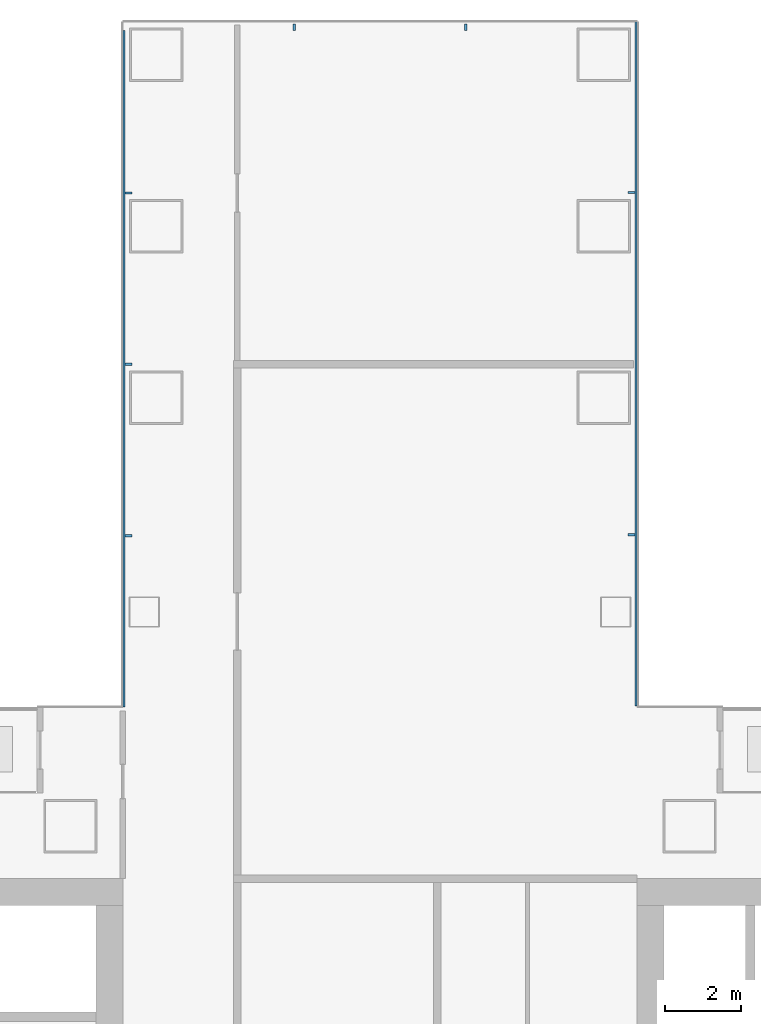
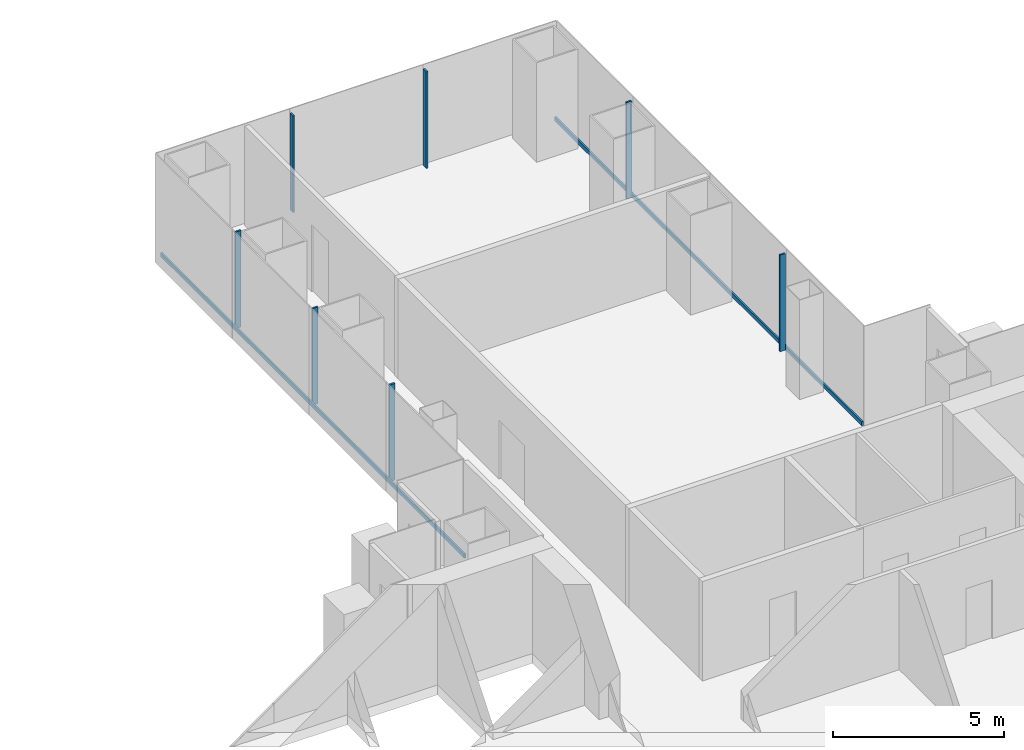
# One storey, part 10 of 22: 9 members, 3 elements without a shape of their own.
"""IFC4 building model written with IfcOpenShell, lengths in metres."""

from ifc_helpers import new_model, si_unit, direction, frame, origin, origin_2d, place, context, subcontext, project, spatial, rectangle, extrude, material, layer, layer_set, material_profile, profile_set, type_object, element, aggregate, save


model = new_model("IFC4")

# Units and contexts
model_context = context("Model", 3, precision=1e-05, world=origin(), true_north=direction((0.0, 1.0)))
body_context = subcontext(model_context, "Body", "Model", "MODEL_VIEW")
ifc_project = project(units=[si_unit("LENGTHUNIT", "METRE"), si_unit("AREAUNIT", "SQUARE_METRE"), si_unit("VOLUMEUNIT", "CUBIC_METRE"), si_unit("PLANEANGLEUNIT", "RADIAN"), si_unit("MASSUNIT", "GRAM", prefix="KILO")], contexts=[model_context])

# Site, building, storey
site_placement = place(None, origin())
site = spatial("IfcSite", under=ifc_project, at=site_placement, CompositionType="ELEMENT")
building_placement = place(site_placement, origin())
building = spatial("IfcBuilding", under=site, at=building_placement, Name="Shamsa Quay Exchange Towers", CompositionType="ELEMENT")
storey_placement = place(building_placement, frame((0.0, 0.0, 69.300048828125)))
storey = spatial("IfcBuildingStorey", under=building, at=storey_placement, Name="L15", CompositionType="ELEMENT", Elevation=69.300048828125)

# Curtain wall, members
ifc_material = material(Name="Aluminium EN AW-6063 T6, black anodised", Category="aluminium")
ifc_layer = layer(ifc_material, 0.280029296875)
ifc_layer_set = layer_set([ifc_layer], Name="CW-1 UNITISED VISION GLASS")
curtain_wall_type = type_object("IfcCurtainWallType", Name="CW-1 UNITISED VISION GLASS", PredefinedType="NOTDEFINED", material=ifc_layer_set)
curtain_wall_1_placement = place(storey_placement, origin())
curtain_wall_1 = element("IfcCurtainWall", 1, at=curtain_wall_1_placement, inside=storey, type_object=curtain_wall_type, Name="CW1 T2-FLK-U+S L15", PredefinedType="NOTDEFINED")
ifc_material_profile_1 = material_profile(ifc_material, rectangle(XDim=0.179931640625, YDim=0.06005859375, at=origin_2d()), Name="MU60x180")
ifc_profile_set_1 = profile_set([ifc_material_profile_1], Name="Aluminium EN AW-6063 T6, black anodised")
member_type_1 = type_object("IfcMemberType", Name="CW1 MULLION 60x180", PredefinedType="MULLION", material=ifc_profile_set_1)
member_1_placement = place(storey_placement, frame((40.35009765625, 15.778564453125, 0.0), z_axis=(0.0, 0.0, 1.0), x_axis=(-1.0, 0.0, 0.0)))
member_1 = element("IfcMember", 2, at=member_1_placement, type_object=member_type_1, Name="CW1 mullion", PredefinedType="MULLION", context=body_context, shape_type="SweptSolid", body=[
    extrude(rectangle(XDim=0.179931640625, YDim=0.06005859375, at=origin_2d()), origin(), (0.0, 0.0, 1.0), 3.449951171875),
])
member_2_placement = place(storey_placement, frame((40.35009765625, 24.759521484375, 0.0), z_axis=(0.0, 0.0, 1.0), x_axis=(-1.0, 0.0, 0.0)))
member_2 = element("IfcMember", 3, at=member_2_placement, type_object=member_type_1, Name="CW1 mullion", PredefinedType="MULLION", context=body_context, shape_type="SweptSolid", body=[
    extrude(rectangle(XDim=0.179931640625, YDim=0.06005859375, at=origin_2d()), origin(), (0.0, 0.0, 1.0), 3.449951171875),
])

curtain_wall_2_placement = place(storey_placement, origin())
curtain_wall_2 = element("IfcCurtainWall", 4, at=curtain_wall_2_placement, inside=storey, type_object=curtain_wall_type, Name="CW1 T2-END-U+ L15", PredefinedType="NOTDEFINED")
member_3_placement = place(storey_placement, frame((36.0, 29.10009765625, 0.0), z_axis=(0.0, 0.0, 1.0), x_axis=(0.0, -1.0, 0.0)))
member_3 = element("IfcMember", 5, at=member_3_placement, type_object=member_type_1, Name="CW1 mullion", PredefinedType="MULLION", context=body_context, shape_type="SweptSolid", body=[
    extrude(rectangle(XDim=0.179931640625, YDim=0.06005859375, at=origin_2d()), origin(), (0.0, 0.0, 1.0), 3.449951171875),
])
member_4_placement = place(storey_placement, frame((31.5, 29.10009765625, 0.0), z_axis=(0.0, 0.0, 1.0), x_axis=(0.0, -1.0, 0.0)))
member_4 = element("IfcMember", 6, at=member_4_placement, type_object=member_type_1, Name="CW1 mullion", PredefinedType="MULLION", context=body_context, shape_type="SweptSolid", body=[
    extrude(rectangle(XDim=0.179931640625, YDim=0.06005859375, at=origin_2d()), origin(), (0.0, 0.0, 1.0), 3.449951171875),
])
aggregate(curtain_wall_2, [member_3, member_4])

curtain_wall_3_placement = place(storey_placement, origin())
curtain_wall_3 = element("IfcCurtainWall", 7, at=curtain_wall_3_placement, inside=storey, type_object=curtain_wall_type, Name="CW1 T2-FLK-U+N L15", PredefinedType="NOTDEFINED")
member_5_placement = place(storey_placement, frame((27.14990234375, 24.75, 0.0)))
member_5 = element("IfcMember", 8, at=member_5_placement, type_object=member_type_1, Name="CW1 mullion", PredefinedType="MULLION", context=body_context, shape_type="SweptSolid", body=[
    extrude(rectangle(XDim=0.179931640625, YDim=0.06005859375, at=origin_2d()), origin(), (0.0, 0.0, 1.0), 3.449951171875),
])
member_6_placement = place(storey_placement, frame((27.14990234375, 20.25, 0.0)))
member_6 = element("IfcMember", 9, at=member_6_placement, type_object=member_type_1, Name="CW1 mullion", PredefinedType="MULLION", context=body_context, shape_type="SweptSolid", body=[
    extrude(rectangle(XDim=0.179931640625, YDim=0.06005859375, at=origin_2d()), origin(), (0.0, 0.0, 1.0), 3.449951171875),
])
member_7_placement = place(storey_placement, frame((27.14990234375, 15.75, 0.0)))
member_7 = element("IfcMember", 10, at=member_7_placement, type_object=member_type_1, Name="CW1 mullion", PredefinedType="MULLION", context=body_context, shape_type="SweptSolid", body=[
    extrude(rectangle(XDim=0.179931640625, YDim=0.06005859375, at=origin_2d()), origin(), (0.0, 0.0, 1.0), 3.449951171875),
])

# Member
ifc_material_profile_2 = material_profile(ifc_material, rectangle(XDim=0.06005859375, YDim=0.139892578125, at=origin_2d()), Name="TR140x60")
ifc_profile_set_2 = profile_set([ifc_material_profile_2], Name="Aluminium EN AW-6063 T6, black anodised")
member_type_2 = type_object("IfcMemberType", Name="CW1 TRANSOM 140x60", PredefinedType="USERDEFINED", material=ifc_profile_set_2)
member_8_placement = place(storey_placement, frame((40.469970703125, 11.2880859375, 0.070068359375), z_axis=(0.0, 1.0, 0.0), x_axis=(-1.0, 0.0, 0.0)))
member_8 = element("IfcMember", 11, at=member_8_placement, type_object=member_type_2, Name="CW1 transom", ObjectType="TRANSOM", PredefinedType="USERDEFINED", context=body_context, shape_type="SweptSolid", body=[
    extrude(rectangle(XDim=0.06005859375, YDim=0.139892578125, at=origin_2d()), origin(), (0.0, 0.0, 1.0), 17.9619140625),
])

aggregate(curtain_wall_1, [member_8, member_1, member_2])

member_9_placement = place(storey_placement, frame((27.030029296875, 29.008056640625, 0.070068359375), z_axis=(0.0, -1.0, 0.0), x_axis=(1.0, 0.0, 0.0)))
member_9 = element("IfcMember", 12, at=member_9_placement, type_object=member_type_2, Name="CW1 transom", ObjectType="TRANSOM", PredefinedType="USERDEFINED", context=body_context, shape_type="SweptSolid", body=[
    extrude(rectangle(XDim=0.06005859375, YDim=0.139892578125, at=origin_2d()), origin(), (0.0, 0.0, 1.0), 17.758056640625),
])

aggregate(curtain_wall_3, [member_9, member_5, member_6, member_7])

save(model, "model.ifc")
